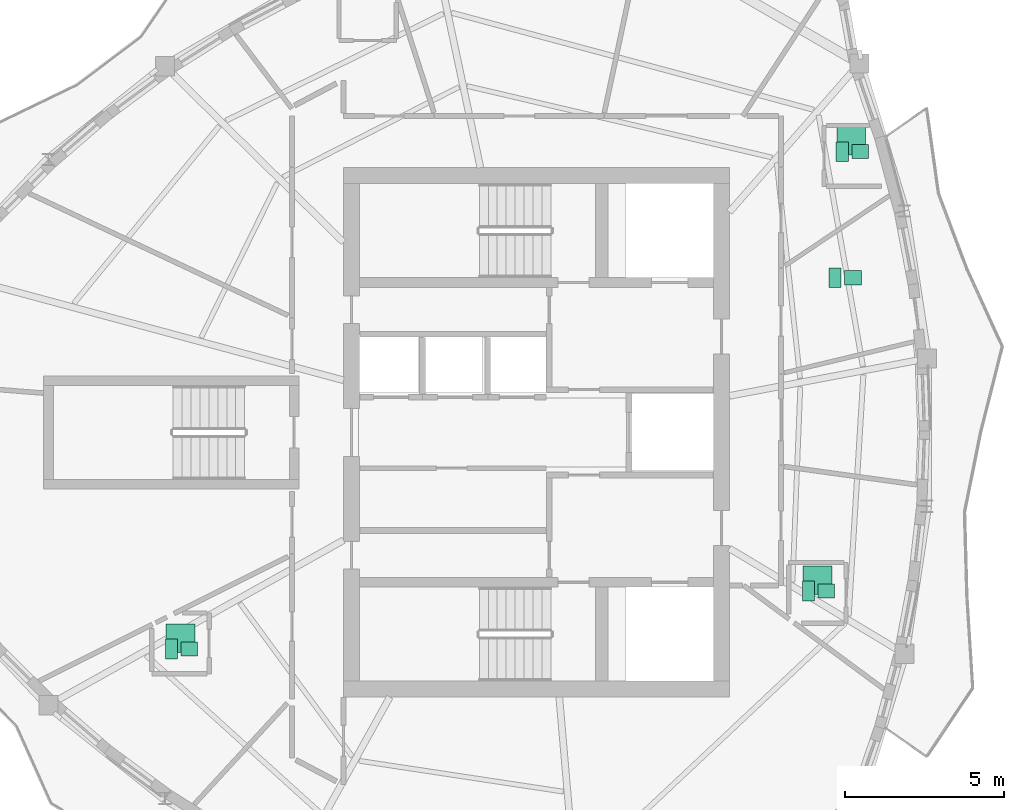
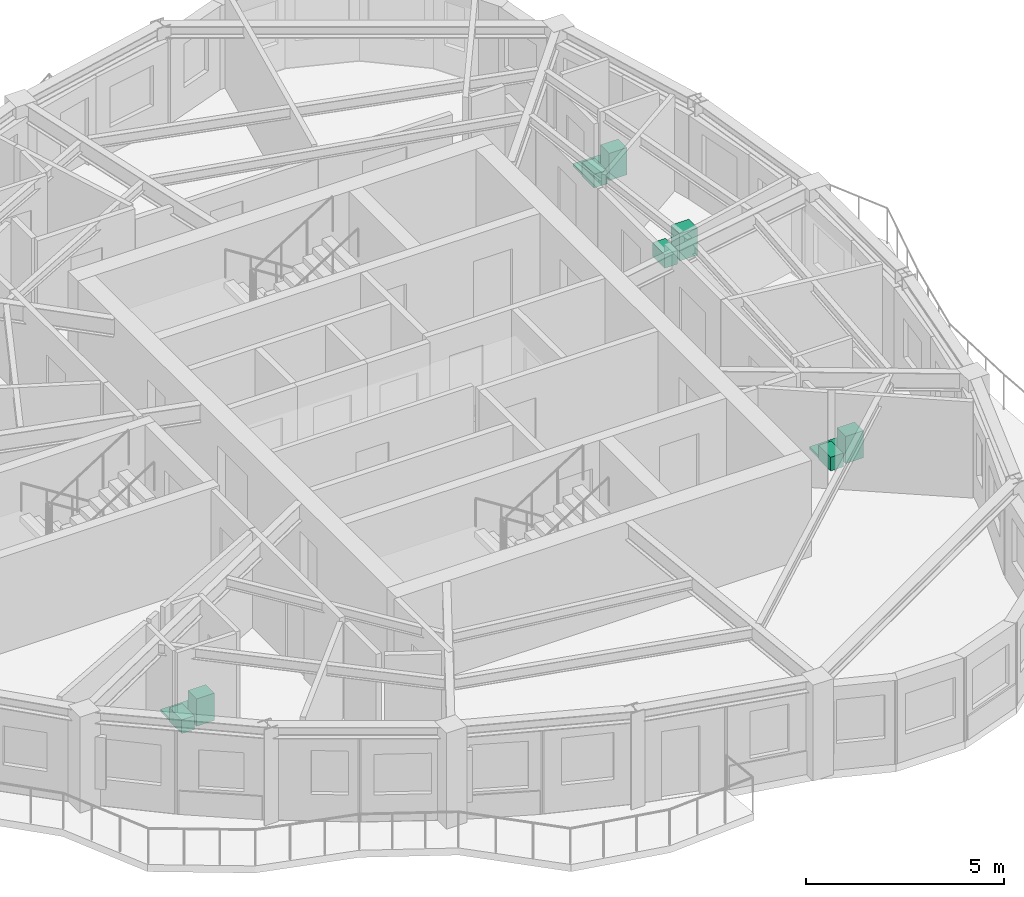
# One storey, part 12 of 12: 11 sanitary terminals.
"""IFC4 building model written with IfcOpenShell, lengths in metres."""

from ifc_helpers import new_model, si_unit, direction, frame, origin, origin_2d, place, context, subcontext, project, spatial, rectangle, extrude, source, transform, mapped, material, type_object, element, save


model = new_model("IFC4")

# Units and contexts
model_context = context("Model", 3, precision=1e-05, world=origin(), true_north=direction((0.0, 1.0)))
body_context = subcontext(model_context, "Body", "Model", "MODEL_VIEW")
ifc_project = project(units=[si_unit("LENGTHUNIT", "METRE"), si_unit("AREAUNIT", "SQUARE_METRE"), si_unit("VOLUMEUNIT", "CUBIC_METRE"), si_unit("PLANEANGLEUNIT", "RADIAN"), si_unit("MASSUNIT", "GRAM", prefix="KILO")], contexts=[model_context])

# Site, building, storey
site_placement = place(None, origin())
site = spatial("IfcSite", under=ifc_project, at=site_placement, CompositionType="ELEMENT")
building_placement = place(site_placement, origin())
building = spatial("IfcBuilding", under=site, at=building_placement, Name="Qafzar Sky-Pleat Residences", CompositionType="ELEMENT")
storey_placement = place(building_placement, frame((0.0, 0.0, 198.800048828125)))
storey = spatial("IfcBuildingStorey", under=building, at=storey_placement, Name="L59", CompositionType="ELEMENT", Elevation=198.800048828125)

# Sanitary terminals
ifc_material_1 = material(Name="Vitreous china sanitaryware")
sanitary_terminal_type_1 = type_object("IfcSanitaryTerminalType", Name="SAN-WC-PAN", PredefinedType="TOILETPAN", material=ifc_material_1)
shared_shape_1 = source(origin(), body_context, "Body", "SweptSolid", [
    extrude(rectangle(XDim=0.3798828125, YDim=0.6201171875, at=origin_2d()), origin(), (0.0, 0.0, 1.0), 0.419921875),
])
for number, where, z_axis, x_axis, name in (
    (1, (18.907958984375, 19.20751953125, 0.0), (0.0, 0.0, 1.0), (1.0, 0.0, 0.0), "L59 En-suite Bathroom 1 WC Pan"),
    (2, (38.8798828125, 21.025146484375, 0.0), (0.0, 0.0, 1.0), (1.0, 0.0, 0.0), "L59 En-suite Bathroom 2 WC Pan"),
    (3, (39.714111328125, 30.8486328125, 0.0), (0.0, 0.0, 1.0), (1.0, 0.0, 0.0), "L59 Accessible Shared Washroom WC Pan"),
    (4, (39.93701171875, 34.801513671875, 0.0), (0.0, 0.0, 1.0), (1.0, 0.0, 0.0), "L59 En-suite Bathroom 3 WC Pan"),
):
    element("IfcSanitaryTerminal", number, at=place(storey_placement, frame(where, z_axis=z_axis, x_axis=x_axis)), inside=storey, type_object=sanitary_terminal_type_1, Name=name, PredefinedType="TOILETPAN", context=body_context, shape_type="MappedRepresentation", body=[
        mapped(shared_shape_1, transform((0.0, 0.0, 0.0), x_axis=(1.0, 0.0, 0.0), y_axis=(0.0, 1.0, 0.0), z_axis=(0.0, 0.0, 1.0), scale=1.0)),
    ])
sanitary_terminal_type_2 = type_object("IfcSanitaryTerminalType", Name="SAN-BASIN", PredefinedType="WASHHANDBASIN", material=ifc_material_1)
shared_shape_2 = source(origin(), body_context, "Body", "SweptSolid", [
    extrude(rectangle(XDim=0.52001953125, YDim=0.43994140625, at=origin_2d()), origin(), (0.0, 0.0, 1.0), 0.840087890625),
])
for number, where, z_axis, x_axis, name in (
    (5, (19.468017578125, 19.20751953125, 0.0), (0.0, 0.0, 1.0), (1.0, 0.0, 0.0), "L59 En-suite Bathroom 1 Pedestal Washbasin"),
    (6, (39.43994140625, 21.025146484375, 0.0), (0.0, 0.0, 1.0), (1.0, 0.0, 0.0), "L59 En-suite Bathroom 2 Pedestal Washbasin"),
    (7, (40.274169921875, 30.8486328125, 0.0), (0.0, 0.0, 1.0), (1.0, 0.0, 0.0), "L59 Accessible Shared Washroom Pedestal Washbasin"),
    (8, (40.4970703125, 34.801513671875, 0.0), (0.0, 0.0, 1.0), (1.0, 0.0, 0.0), "L59 En-suite Bathroom 3 Pedestal Washbasin"),
):
    element("IfcSanitaryTerminal", number, at=place(storey_placement, frame(where, z_axis=z_axis, x_axis=x_axis)), inside=storey, type_object=sanitary_terminal_type_2, Name=name, PredefinedType="WASHHANDBASIN", context=body_context, shape_type="MappedRepresentation", body=[
        mapped(shared_shape_2, transform((0.0, 0.0, 0.0), x_axis=(1.0, 0.0, 0.0), y_axis=(0.0, 1.0, 0.0), z_axis=(0.0, 0.0, 1.0), scale=1.0)),
    ])
ifc_material_2 = material(Name="Vitreous china and acrylic tray")
sanitary_terminal_type_3 = type_object("IfcSanitaryTerminalType", Name="SAN-SHOWER", PredefinedType="SHOWER", material=ifc_material_2)
shared_shape_3 = source(origin(), body_context, "Body", "SweptSolid", [
    extrude(rectangle(XDim=0.89990234375, YDim=0.89990234375, at=origin_2d()), origin(), (0.0, 0.0, 1.0), 0.080078125),
])
for number, where, z_axis, x_axis, name in (
    (9, (19.18798828125, 19.54736328125, 0.0), (0.0, 0.0, 1.0), (1.0, 0.0, 0.0), "L59 En-suite Bathroom 1 Walk-In Shower"),
    (10, (39.159912109375, 21.364990234375, 0.0), (0.0, 0.0, 1.0), (1.0, 0.0, 0.0), "L59 En-suite Bathroom 2 Walk-In Shower"),
    (11, (40.217041015625, 35.1416015625, 0.0), (0.0, 0.0, 1.0), (1.0, 0.0, 0.0), "L59 En-suite Bathroom 3 Walk-In Shower"),
):
    element("IfcSanitaryTerminal", number, at=place(storey_placement, frame(where, z_axis=z_axis, x_axis=x_axis)), inside=storey, type_object=sanitary_terminal_type_3, Name=name, PredefinedType="SHOWER", context=body_context, shape_type="MappedRepresentation", body=[
        mapped(shared_shape_3, transform((0.0, 0.0, 0.0), x_axis=(1.0, 0.0, 0.0), y_axis=(0.0, 1.0, 0.0), z_axis=(0.0, 0.0, 1.0), scale=1.0)),
    ])

save(model, "model.ifc")
